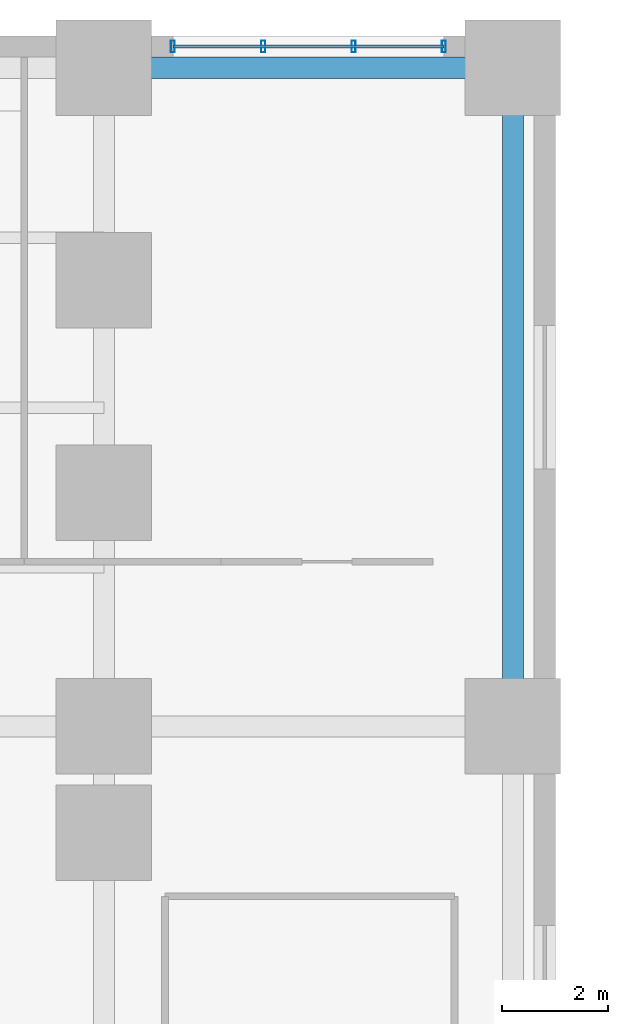
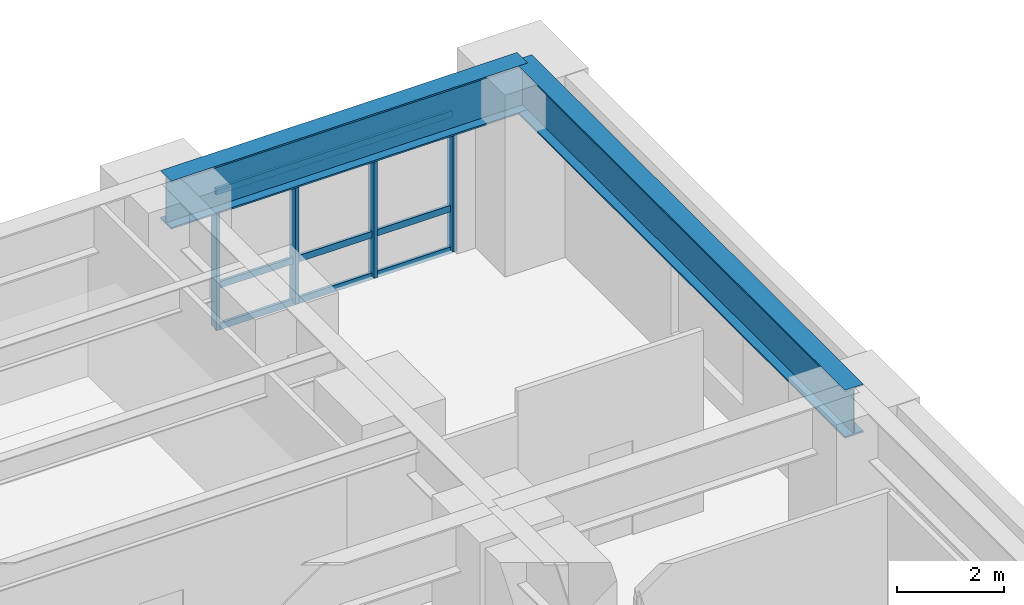
# One storey, part 3 of 11: 7 members, 2 beams, 1 element without a shape of its own.
"""IFC4 building model written with IfcOpenShell, lengths in metres."""

import ifcopenshell
import ifcopenshell.guid

model = None  # the IFC model being written
_history = None  # IfcOwnerHistory: only IFC2X3 demands one
_inside = {}  # id of a spatial element -> (the spatial element, [elements in it])
_under = {}  # id of a project, library or spatial element -> (it, [spatial elements below it])
_declared = {}  # id of a project -> (the project, [libraries it declares])
_typed = {}  # id of a type object -> (the type object, [elements of that type])
_made_of = {}  # id of a material, layer set ... -> (it, [elements and type objects made of it])


def new_model(schema):
    """Start an empty IFC model of exactly this schema.

    Asked for "IFC4X3", IfcOpenShell would pick the latest addendum, in which some entities
    have other attributes; the version numbers below select the first issue.
    IFC2X3 requires an IfcOwnerHistory on every rooted entity: one is made here for all.
    """
    global model, _history
    if schema == "IFC4X3":
        model = ifcopenshell.file(schema_version=(4, 3, 0, 0))
    else:
        model = ifcopenshell.file(schema=schema)
    _inside.clear()
    _under.clear()
    _declared.clear()
    _typed.clear()
    _made_of.clear()
    _history = None
    if model.schema == "IFC2X3":
        org = make("IfcOrganization", Name="unknown")
        user = make(
            "IfcPersonAndOrganization",
            ThePerson=make("IfcPerson", FamilyName="unknown"),
            TheOrganization=org,
        )
        app = make(
            "IfcApplication",
            ApplicationDeveloper=org,
            Version="unknown",
            ApplicationFullName="unknown",
            ApplicationIdentifier="unknown",
        )
        _history = make(
            "IfcOwnerHistory",
            OwningUser=user,
            OwningApplication=app,
            ChangeAction="ADDED",
            CreationDate=0,
        )
    return model


def make(cls, **values):
    """One entity of the class cls with the attributes given. An attribute that is None is left unset."""
    return model.create_entity(
        cls, **{name: value for name, value in values.items() if value is not None}
    )


def rooted(cls, **values):
    """An entity with a GlobalId (a new one), such as an element, a storey or a relation."""
    return make(cls, GlobalId=ifcopenshell.guid.new(), OwnerHistory=_history, **values)


def si_unit(unit_type, name, prefix=None):
    """IfcSIUnit, for example si_unit("LENGTHUNIT", "METRE", prefix="MILLI")."""
    return make("IfcSIUnit", UnitType=unit_type, Prefix=prefix, Name=name)


def assignment(units):
    """IfcUnitAssignment: the units of a project."""
    return None if units is None else make("IfcUnitAssignment", Units=units)


def point(xyz):
    """IfcCartesianPoint."""
    return None if xyz is None else make("IfcCartesianPoint", Coordinates=xyz)


def direction(xyz):
    """IfcDirection."""
    return None if xyz is None else make("IfcDirection", DirectionRatios=xyz)


def frame(location, z_axis=None, x_axis=None):
    """IfcAxis2Placement3D, a coordinate frame: its origin and axes. An axis left out is left unset."""
    return make(
        "IfcAxis2Placement3D",
        Location=point(location),
        Axis=direction(z_axis),
        RefDirection=direction(x_axis),
    )


def frame_2d(location, x_axis=None):
    """IfcAxis2Placement2D, a coordinate frame in the plane: its origin and x axis."""
    return make(
        "IfcAxis2Placement2D", Location=point(location), RefDirection=direction(x_axis)
    )


def origin():
    """The frame at (0, 0, 0) with its axes left unset."""
    return frame((0.0, 0.0, 0.0))


def origin_2d():
    """The frame at (0, 0) in the plane with its x axis left unset."""
    return frame_2d((0.0, 0.0))


def place(relative_to, where):
    """IfcLocalPlacement: puts the frame where relative to a parent placement (None: the world)."""
    return make(
        "IfcLocalPlacement", PlacementRelTo=relative_to, RelativePlacement=where
    )


def context(
    kind, dimensions, precision=None, world=None, true_north=None, identifier=None
):
    """IfcGeometricRepresentationContext, for example the 3D "Model" context."""
    return make(
        "IfcGeometricRepresentationContext",
        ContextIdentifier=identifier,
        ContextType=kind,
        CoordinateSpaceDimension=dimensions,
        Precision=precision,
        WorldCoordinateSystem=world,
        TrueNorth=true_north,
    )


def subcontext(parent, identifier, kind, view, scale=None):
    """IfcGeometricRepresentationSubContext, for example "Body" below "Model"."""
    return make(
        "IfcGeometricRepresentationSubContext",
        ContextIdentifier=identifier,
        ContextType=kind,
        ParentContext=parent,
        TargetScale=scale,
        TargetView=view,
    )


def project(units=None, contexts=None):
    """IfcProject with its units and contexts."""
    return rooted(
        "IfcProject",
        Name="project",
        RepresentationContexts=contexts,
        UnitsInContext=assignment(units),
    )


def spatial(cls, under=None, at=None, **own):
    """A site, building, storey or space (cls), placed at a placement, below another one or the project."""
    s = rooted(cls, ObjectPlacement=at, **own)
    if under is not None:
        _under.setdefault(under.id(), (under, []))[1].append(s)
    return s


def profile(cls, at=None, kind="AREA", **sizes):
    """A parametric profile (cls). Its sizes go by their IFC names, for example OverallWidth=200.0."""
    return make(cls, ProfileType=kind, Position=at, **sizes)


def hollow_rectangle(**sizes):
    """IfcRectangleHollowProfileDef."""
    return profile("IfcRectangleHollowProfileDef", **sizes)


def i_section(**sizes):
    """IfcIShapeProfileDef."""
    return profile("IfcIShapeProfileDef", **sizes)


def extrude(swept, where, along, depth):
    """IfcExtrudedAreaSolid: the profile swept, set in the frame where, extruded along a direction by depth."""
    return make(
        "IfcExtrudedAreaSolid",
        SweptArea=swept,
        Position=where,
        ExtrudedDirection=direction(along),
        Depth=depth,
    )


def shape(context_of_items, identifier, shape_type, items):
    """IfcShapeRepresentation: the items that make up one representation, for example the "Body"."""
    return make(
        "IfcShapeRepresentation",
        ContextOfItems=context_of_items,
        RepresentationIdentifier=identifier,
        RepresentationType=shape_type,
        Items=items,
    )


def source(mapping_origin, context_of_items, identifier, shape_type, items):
    """IfcRepresentationMap: a shape defined once, which mapped items show again and again."""
    return make(
        "IfcRepresentationMap",
        MappingOrigin=mapping_origin,
        MappedRepresentation=shape(context_of_items, identifier, shape_type, items),
    )


def transform(
    local_origin,
    x_axis=None,
    y_axis=None,
    z_axis=None,
    scale=None,
    scale2=None,
    scale3=None,
    uniform=True,
):
    """IfcCartesianTransformationOperator3D, or its non-uniform kind. x_axis, y_axis, z_axis: its Axis1, 2, 3."""
    if uniform:
        return make(
            "IfcCartesianTransformationOperator3D",
            Axis1=direction(x_axis),
            Axis2=direction(y_axis),
            LocalOrigin=point(local_origin),
            Scale=scale,
            Axis3=direction(z_axis),
        )
    return make(
        "IfcCartesianTransformationOperator3DnonUniform",
        Axis1=direction(x_axis),
        Axis2=direction(y_axis),
        LocalOrigin=point(local_origin),
        Scale=scale,
        Axis3=direction(z_axis),
        Scale2=scale2,
        Scale3=scale3,
    )


def mapped(mapping_source, mapping_target):
    """IfcMappedItem: shows the shape of a source again, moved by a transform."""
    return make(
        "IfcMappedItem", MappingSource=mapping_source, MappingTarget=mapping_target
    )


def material(Name=None, Category=None):
    """IfcMaterial."""
    return make("IfcMaterial", Name=Name, Category=Category)


def layer(
    of_material, thickness, ventilated=None, Name=None, Category=None, Priority=None
):
    """IfcMaterialLayer: one layer of a wall or slab, of a material (None: an air gap)."""
    return make(
        "IfcMaterialLayer",
        Material=of_material,
        LayerThickness=thickness,
        IsVentilated=ventilated,
        Name=Name,
        Category=Category,
        Priority=Priority,
    )


def layer_set(layers, Name=None):
    """IfcMaterialLayerSet."""
    return make("IfcMaterialLayerSet", MaterialLayers=layers, LayerSetName=Name)


def material_profile(
    of_material, cross_section, Name=None, Category=None, Priority=None
):
    """IfcMaterialProfile: a cross section and its material."""
    return make(
        "IfcMaterialProfile",
        Name=Name,
        Material=of_material,
        Profile=cross_section,
        Priority=Priority,
        Category=Category,
    )


def profile_set(profiles, Name=None, composite=None):
    """IfcMaterialProfileSet."""
    return make(
        "IfcMaterialProfileSet",
        Name=Name,
        MaterialProfiles=profiles,
        CompositeProfile=composite,
    )


def made_of(thing, what):
    """Note that an element or type object is made of a material, layer set ...; save() writes the relation."""
    if what is not None:
        _made_of.setdefault(what.id(), (what, []))[1].append(thing)
    return thing


def type_object(cls, material=None, **own):
    """A type object (cls), such as IfcWallType, which elements share."""
    return made_of(rooted(cls, **own), material)


def element(
    cls,
    number,
    at=None,
    inside=None,
    cuts=None,
    type_object=None,
    material=None,
    context=None,
    identifier="Body",
    shape_type=None,
    held_by="IfcProductDefinitionShape",
    body=None,
    shapes=None,
    **own,
):
    """One element of the class cls, such as IfcWall. Its Tag is "e" and its number.

    at: its placement. inside: the storey or other place that contains it. cuts: it is an
    opening in that element (IfcRelVoidsElement). A single representation is given by context,
    identifier, shape_type and body (its items); several are given by shapes. held_by: the class
    of the entity that holds the representations. save() writes the other relations.
    """
    e = rooted(cls, Tag="e%d" % number, ObjectPlacement=at, **own)
    if body is not None:
        shapes = [shape(context, identifier, shape_type, body)]
    if shapes is not None:
        e.Representation = make(held_by, Representations=shapes)
    if inside is not None:
        _inside.setdefault(inside.id(), (inside, []))[1].append(e)
    if cuts is not None:
        rooted(
            "IfcRelVoidsElement", RelatingBuildingElement=cuts, RelatedOpeningElement=e
        )
    if type_object is not None:
        _typed.setdefault(type_object.id(), (type_object, []))[1].append(e)
    return made_of(e, material)


def aggregate(whole, parts):
    """IfcRelAggregates: a whole, such as a stair, and the parts it consists of."""
    return rooted("IfcRelAggregates", RelatingObject=whole, RelatedObjects=parts)


def save(model, path):
    """Write the relations noted so far, then the file.

    IfcRelAggregates (storeys below a building ...), IfcRelContainedInSpatialStructure (elements
    in a storey), IfcRelDefinesByType, IfcRelAssociatesMaterial and IfcRelDeclares: one each for
    every whole, place, type object, material and project.
    """
    for whole, parts in _under.values():
        aggregate(whole, parts)
    for where, things in _inside.values():
        rooted(
            "IfcRelContainedInSpatialStructure",
            RelatedElements=things,
            RelatingStructure=where,
        )
    for kind, things in _typed.values():
        rooted("IfcRelDefinesByType", RelatedObjects=things, RelatingType=kind)
    for what, things in _made_of.values():
        rooted("IfcRelAssociatesMaterial", RelatedObjects=things, RelatingMaterial=what)
    for by, libraries in _declared.values():
        rooted("IfcRelDeclares", RelatingContext=by, RelatedDefinitions=libraries)
    model.write(path)


model = new_model("IFC4")

# Units and contexts
model_context = context("Model", 3, precision=1e-05, world=origin(), true_north=direction((0.0, 1.0)))
body_context = subcontext(model_context, "Body", "Model", "MODEL_VIEW")
ifc_project = project(units=[si_unit("LENGTHUNIT", "METRE"), si_unit("AREAUNIT", "SQUARE_METRE"), si_unit("VOLUMEUNIT", "CUBIC_METRE"), si_unit("PLANEANGLEUNIT", "RADIAN"), si_unit("MASSUNIT", "GRAM", prefix="KILO")], contexts=[model_context])

# Site, building, storey
site_placement = place(None, origin())
site = spatial("IfcSite", under=ifc_project, at=site_placement, CompositionType="ELEMENT")
building_placement = place(site_placement, origin())
building = spatial("IfcBuilding", under=site, at=building_placement, Name="Kharzan Plaza Tower", CompositionType="ELEMENT")
storey_placement = place(building_placement, frame((0.0, 0.0, 13.5)))
storey = spatial("IfcBuildingStorey", under=building, at=storey_placement, Name="L03", CompositionType="ELEMENT", Elevation=13.5)

# Beams
ifc_material_1 = material(Name="Steel S355", Category="steel")
ifc_material_profile_1 = material_profile(ifc_material_1, i_section(OverallWidth=0.39990234375, OverallDepth=1.10009765625, WebThickness=0.02001953125, FlangeThickness=0.035888671875, at=origin_2d()), Name="W1100x390")
ifc_profile_set_1 = profile_set([ifc_material_profile_1], Name="Steel S355")
beam_type = type_object("IfcBeamType", Name="BM-PG1100B", PredefinedType="BEAM", material=ifc_profile_set_1)
shared_shape_1 = source(origin(), body_context, "Body", "SweptSolid", [
    extrude(i_section(OverallWidth=0.39990234375, OverallDepth=1.10009765625, WebThickness=0.02001953125, FlangeThickness=0.035888671875, at=origin_2d()), origin(), (0.0, 0.0, 1.0), 7.699951171875),
])
beam_1_placement = place(storey_placement, frame((19.0, 49.39990234375, 3.60009765625), z_axis=(1.0, 0.0, 0.0), x_axis=(0.0, 1.0, 0.0)))
element("IfcBeam", 1, at=beam_1_placement, inside=storey, type_object=beam_type, Name="L03 Podium Primary Girder PG-11", PredefinedType="BEAM", context=body_context, shape_type="MappedRepresentation", body=[
    mapped(shared_shape_1, transform((0.0, 0.0, 0.0), x_axis=(1.0, 0.0, 0.0), y_axis=(0.0, 1.0, 0.0), z_axis=(0.0, 0.0, 1.0))),
])
shared_shape_2 = source(origin(), body_context, "Body", "SweptSolid", [
    extrude(i_section(OverallWidth=0.39990234375, OverallDepth=1.10009765625, WebThickness=0.02001953125, FlangeThickness=0.035888671875, at=origin_2d()), origin(), (0.0, 0.0, 1.0), 12.39990234375),
])
beam_2_placement = place(storey_placement, frame((26.699951171875, 37.0, 3.60009765625), z_axis=(0.0, 1.0, 0.0), x_axis=(-1.0, 0.0, 0.0)))
element("IfcBeam", 2, at=beam_2_placement, inside=storey, type_object=beam_type, Name="L03 Podium Primary Girder PG-33", PredefinedType="BEAM", context=body_context, shape_type="MappedRepresentation", body=[
    mapped(shared_shape_2, transform((0.0, 0.0, 0.0), x_axis=(1.0, 0.0, 0.0), y_axis=(0.0, 1.0, 0.0), z_axis=(0.0, 0.0, 1.0))),
])

# Curtain wall, members
ifc_material_2 = material(Name="Unitised Bronze-Anodized Aluminium and Low-E Glass", Category="aluminium")
ifc_layer = layer(ifc_material_2, 0.199951171875)
ifc_layer_set = layer_set([ifc_layer], Name="Unitised Bronze-Anodized Aluminium and Low-E Glass")
curtain_wall_type = type_object("IfcCurtainWallType", Name="CW-PODIUM-1", PredefinedType="NOTDEFINED", material=ifc_layer_set)
curtain_wall_placement = place(storey_placement, origin())
curtain_wall = element("IfcCurtainWall", 3, at=curtain_wall_placement, inside=storey, type_object=curtain_wall_type, Name="L03 Podium North Gallery Curtain Wall", PredefinedType="NOTDEFINED")
ifc_material_3 = material(Name="Anodized Bronze Aluminium", Category="aluminium")
ifc_material_profile_2 = material_profile(ifc_material_3, hollow_rectangle(XDim=0.074951171875, YDim=0.219970703125, WallThickness=0.00390625, at=origin_2d()), Name="ALU-M220x75x4")
ifc_profile_set_2 = profile_set([ifc_material_profile_2], Name="Anodized Bronze Aluminium")
member_type_1 = type_object("IfcMemberType", Name="MEM-CW-MUL200", PredefinedType="MULLION", material=ifc_profile_set_2)
shared_shape_3 = source(origin(), body_context, "Body", "SweptSolid", [
    extrude(hollow_rectangle(XDim=0.074951171875, YDim=0.219970703125, WallThickness=0.00390625, at=origin_2d()), origin(), (0.0, 0.0, 1.0), 3.10009765625),
])
member_1_placement = place(storey_placement, frame((20.300048828125, 49.800048828125, 0.0), z_axis=(0.0, 0.0, 1.0), x_axis=(1.0, 0.0, 0.0)))
member_1 = element("IfcMember", 4, at=member_1_placement, type_object=member_type_1, Name="L03 Curtain-Wall Mullion 00", PredefinedType="MULLION", context=body_context, shape_type="MappedRepresentation", body=[
    mapped(shared_shape_3, transform((0.0, 0.0, 0.0), x_axis=(1.0, 0.0, 0.0), y_axis=(0.0, 1.0, 0.0), z_axis=(0.0, 0.0, 1.0))),
])
member_2_placement = place(storey_placement, frame((22.0, 49.800048828125, 0.0), z_axis=(0.0, 0.0, 1.0), x_axis=(1.0, 0.0, 0.0)))
member_2 = element("IfcMember", 5, at=member_2_placement, type_object=member_type_1, Name="L03 Curtain-Wall Mullion 01", PredefinedType="MULLION", context=body_context, shape_type="MappedRepresentation", body=[
    mapped(shared_shape_3, transform((0.0, 0.0, 0.0), x_axis=(1.0, 0.0, 0.0), y_axis=(0.0, 1.0, 0.0), z_axis=(0.0, 0.0, 1.0))),
])
member_3_placement = place(storey_placement, frame((23.699951171875, 49.800048828125, 0.0), z_axis=(0.0, 0.0, 1.0), x_axis=(1.0, 0.0, 0.0)))
member_3 = element("IfcMember", 6, at=member_3_placement, type_object=member_type_1, Name="L03 Curtain-Wall Mullion 02", PredefinedType="MULLION", context=body_context, shape_type="MappedRepresentation", body=[
    mapped(shared_shape_3, transform((0.0, 0.0, 0.0), x_axis=(1.0, 0.0, 0.0), y_axis=(0.0, 1.0, 0.0), z_axis=(0.0, 0.0, 1.0))),
])
member_4_placement = place(storey_placement, frame((25.39990234375, 49.800048828125, 0.0), z_axis=(0.0, 0.0, 1.0), x_axis=(1.0, 0.0, 0.0)))
member_4 = element("IfcMember", 7, at=member_4_placement, type_object=member_type_1, Name="L03 Curtain-Wall Mullion 03", PredefinedType="MULLION", context=body_context, shape_type="MappedRepresentation", body=[
    mapped(shared_shape_3, transform((0.0, 0.0, 0.0), x_axis=(1.0, 0.0, 0.0), y_axis=(0.0, 1.0, 0.0), z_axis=(0.0, 0.0, 1.0))),
])
ifc_material_profile_3 = material_profile(ifc_material_3, hollow_rectangle(XDim=0.06005859375, YDim=0.14990234375, WallThickness=0.00341796875, at=origin_2d()), Name="ALU-T150x60x3.5")
ifc_profile_set_3 = profile_set([ifc_material_profile_3], Name="Anodized Bronze Aluminium")
member_type_2 = type_object("IfcMemberType", Name="MEM-CW-TRN150", PredefinedType="USERDEFINED", material=ifc_profile_set_3)
shared_shape_4 = source(origin(), body_context, "Body", "SweptSolid", [
    extrude(hollow_rectangle(XDim=0.06005859375, YDim=0.14990234375, WallThickness=0.00341796875, at=origin_2d()), origin(), (0.0, 0.0, 1.0), 5.099853515625),
])
member_5_placement = place(storey_placement, frame((20.300048828125, 49.800048828125, 0.0), z_axis=(1.0, 0.0, 0.0), x_axis=(0.0, 1.0, 0.0)))
member_5 = element("IfcMember", 8, at=member_5_placement, type_object=member_type_2, Name="L03 Curtain-Wall Transom 1", ObjectType="TRANSOM", PredefinedType="USERDEFINED", context=body_context, shape_type="MappedRepresentation", body=[
    mapped(shared_shape_4, transform((0.0, 0.0, 0.0), x_axis=(1.0, 0.0, 0.0), y_axis=(0.0, 1.0, 0.0), z_axis=(0.0, 0.0, 1.0))),
])
member_6_placement = place(storey_placement, frame((20.300048828125, 49.800048828125, 0.949951171875), z_axis=(1.0, 0.0, 0.0), x_axis=(0.0, 1.0, 0.0)))
member_6 = element("IfcMember", 9, at=member_6_placement, type_object=member_type_2, Name="L03 Curtain-Wall Transom 2", ObjectType="TRANSOM", PredefinedType="USERDEFINED", context=body_context, shape_type="MappedRepresentation", body=[
    mapped(shared_shape_4, transform((0.0, 0.0, 0.0), x_axis=(1.0, 0.0, 0.0), y_axis=(0.0, 1.0, 0.0), z_axis=(0.0, 0.0, 1.0))),
])
member_7_placement = place(storey_placement, frame((20.300048828125, 49.800048828125, 3.10009765625), z_axis=(1.0, 0.0, 0.0), x_axis=(0.0, 1.0, 0.0)))
member_7 = element("IfcMember", 10, at=member_7_placement, type_object=member_type_2, Name="L03 Curtain-Wall Transom 3", ObjectType="TRANSOM", PredefinedType="USERDEFINED", context=body_context, shape_type="MappedRepresentation", body=[
    mapped(shared_shape_4, transform((0.0, 0.0, 0.0), x_axis=(1.0, 0.0, 0.0), y_axis=(0.0, 1.0, 0.0), z_axis=(0.0, 0.0, 1.0))),
])
aggregate(curtain_wall, [member_1, member_2, member_3, member_4, member_5, member_6, member_7])

save(model, "model.ifc")
